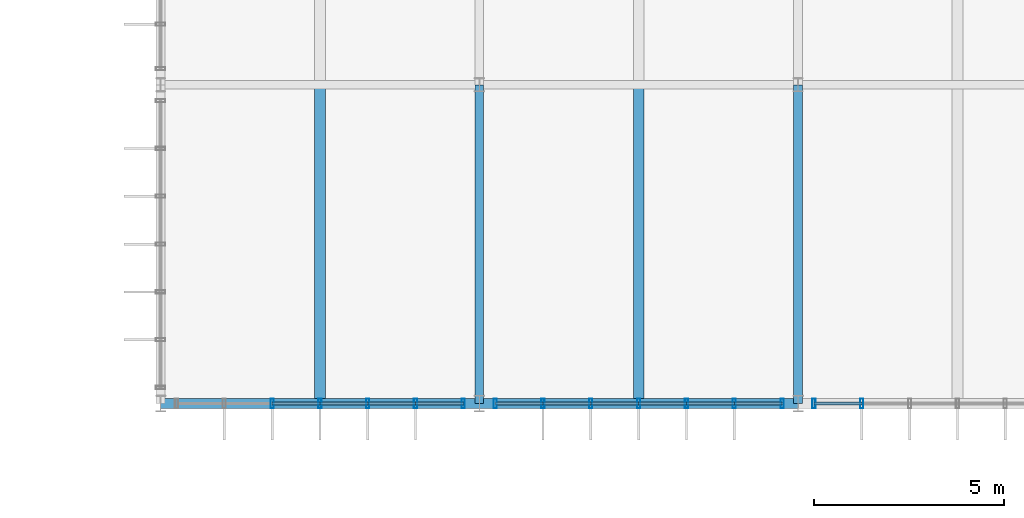
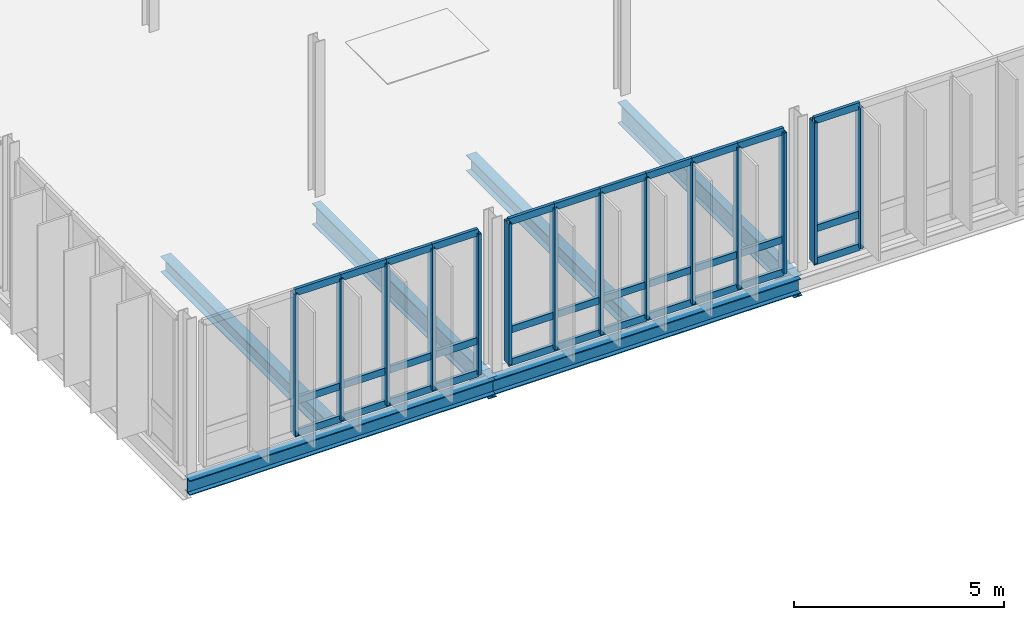
# One storey, part 21 of 139: 47 members, 6 beams, 3 elements without a shape of their own.
"""IFC4 building model written with IfcOpenShell, lengths in metres."""

from ifc_helpers import new_model, si_unit, derived_unit, direction, frame, origin, origin_2d, place, context, subcontext, project, spatial, hollow_rectangle, i_section, extrude, material, layer, layer_set, material_profile, profile_set, type_object, element, aggregate, save


model = new_model("IFC4")

# Units and contexts
model_context = context("Model", 3, precision=1e-05, world=origin(), true_north=direction((0.0, 1.0)))
body_context = subcontext(model_context, "Body", "Model", "MODEL_VIEW")
ifc_project = project(units=[si_unit("LENGTHUNIT", "METRE"), si_unit("AREAUNIT", "SQUARE_METRE"), si_unit("VOLUMEUNIT", "CUBIC_METRE"), si_unit("PLANEANGLEUNIT", "RADIAN"), si_unit("MASSUNIT", "GRAM", prefix="KILO"), derived_unit("THERMALTRANSMITTANCEUNIT", [(si_unit("MASSUNIT", "GRAM", prefix="KILO"), 1), (si_unit("TIMEUNIT", "SECOND"), -3), (si_unit("THERMODYNAMICTEMPERATUREUNIT", "KELVIN"), -1)])], contexts=[model_context])

# Site, building, storey
site_placement = place(None, origin())
site = spatial("IfcSite", under=ifc_project, at=site_placement, CompositionType="ELEMENT")
building_placement = place(site_placement, origin())
building = spatial("IfcBuilding", under=site, at=building_placement, Name="Makaiwela Harbour Ferry Terminal", CompositionType="ELEMENT")
storey_placement = place(building_placement, frame((0.0, 0.0, 5.10009765625)))
storey = spatial("IfcBuildingStorey", under=building, at=storey_placement, Name="L01", CompositionType="ELEMENT", Elevation=5.10009765625)

# Curtain wall, members
ifc_material_1 = material(Name="Marine anodised aluminium 6063-T6", Category="aluminium")
ifc_layer = layer(ifc_material_1, 0.199951171875)
ifc_layer_set = layer_set([ifc_layer], Name="Marine anodised aluminium 6063-T6")
curtain_wall_type = type_object("IfcCurtainWallType", Name="ENV-CW-08", PredefinedType="USERDEFINED", material=ifc_layer_set)
curtain_wall_1_placement = place(storey_placement, origin())
curtain_wall_1 = element("IfcCurtainWall", 1, at=curtain_wall_1_placement, inside=storey, type_object=curtain_wall_type, Name="Unitised Curtain Wall CWA-098", ObjectType="UNITIZED CURTAIN WALL", PredefinedType="USERDEFINED")
ifc_material_profile_1 = material_profile(ifc_material_1, hollow_rectangle(XDim=0.0849609375, YDim=0.25, WallThickness=0.0048828125, at=origin_2d()), Name="CWM-250X85")
ifc_profile_set_1 = profile_set([ifc_material_profile_1], Name="Marine anodised aluminium 6063-T6")
member_type_1 = type_object("IfcMemberType", Name="CW-MUL-250", PredefinedType="MULLION", material=ifc_profile_set_1)
member_1_placement = place(storey_placement, frame((37.3798828125, 25.199951171875, 0.0), z_axis=(0.0, 0.0, 1.0), x_axis=(1.0, 0.0, 0.0)))
member_1 = element("IfcMember", 2, at=member_1_placement, type_object=member_type_1, Name="Curtain Wall Mullion CWA-098-1", PredefinedType="MULLION", context=body_context, shape_type="SweptSolid", body=[
    extrude(hollow_rectangle(XDim=0.0849609375, YDim=0.25, WallThickness=0.0048828125, at=origin_2d()), origin(), (0.0, 0.0, 1.0), 4.099853515625),
])
member_2_placement = place(storey_placement, frame((36.1201171875, 25.199951171875, 0.0), z_axis=(0.0, 0.0, 1.0), x_axis=(1.0, 0.0, 0.0)))
member_2 = element("IfcMember", 3, at=member_2_placement, type_object=member_type_1, Name="Curtain Wall Mullion CWA-098-2", PredefinedType="MULLION", context=body_context, shape_type="SweptSolid", body=[
    extrude(hollow_rectangle(XDim=0.0849609375, YDim=0.25, WallThickness=0.0048828125, at=origin_2d()), origin(), (0.0, 0.0, 1.0), 4.099853515625),
])
member_3_placement = place(storey_placement, frame((34.860107421875, 25.199951171875, 0.0), z_axis=(0.0, 0.0, 1.0), x_axis=(1.0, 0.0, 0.0)))
member_3 = element("IfcMember", 4, at=member_3_placement, type_object=member_type_1, Name="Curtain Wall Mullion CWA-098-3", PredefinedType="MULLION", context=body_context, shape_type="SweptSolid", body=[
    extrude(hollow_rectangle(XDim=0.0849609375, YDim=0.25, WallThickness=0.0048828125, at=origin_2d()), origin(), (0.0, 0.0, 1.0), 4.099853515625),
])
member_4_placement = place(storey_placement, frame((33.60009765625, 25.199951171875, 0.0), z_axis=(0.0, 0.0, 1.0), x_axis=(1.0, 0.0, 0.0)))
member_4 = element("IfcMember", 5, at=member_4_placement, type_object=member_type_1, Name="Curtain Wall Mullion CWA-098-4", PredefinedType="MULLION", context=body_context, shape_type="SweptSolid", body=[
    extrude(hollow_rectangle(XDim=0.0849609375, YDim=0.25, WallThickness=0.0048828125, at=origin_2d()), origin(), (0.0, 0.0, 1.0), 4.099853515625),
])
member_5_placement = place(storey_placement, frame((32.340087890625, 25.199951171875, 0.0), z_axis=(0.0, 0.0, 1.0), x_axis=(1.0, 0.0, 0.0)))
member_5 = element("IfcMember", 6, at=member_5_placement, type_object=member_type_1, Name="Curtain Wall Mullion CWA-098-5", PredefinedType="MULLION", context=body_context, shape_type="SweptSolid", body=[
    extrude(hollow_rectangle(XDim=0.0849609375, YDim=0.25, WallThickness=0.0048828125, at=origin_2d()), origin(), (0.0, 0.0, 1.0), 4.099853515625),
])

curtain_wall_2_placement = place(storey_placement, origin())
curtain_wall_2 = element("IfcCurtainWall", 7, at=curtain_wall_2_placement, inside=storey, type_object=curtain_wall_type, Name="Unitised Curtain Wall CWA-101", ObjectType="UNITIZED CURTAIN WALL", PredefinedType="USERDEFINED")
member_6_placement = place(storey_placement, frame((45.780029296875, 25.199951171875, 0.0), z_axis=(0.0, 0.0, 1.0), x_axis=(1.0, 0.0, 0.0)))
member_6 = element("IfcMember", 8, at=member_6_placement, type_object=member_type_1, Name="Curtain Wall Mullion CWA-101-1", PredefinedType="MULLION", context=body_context, shape_type="SweptSolid", body=[
    extrude(hollow_rectangle(XDim=0.0849609375, YDim=0.25, WallThickness=0.0048828125, at=origin_2d()), origin(), (0.0, 0.0, 1.0), 4.099853515625),
])
member_7_placement = place(storey_placement, frame((44.52001953125, 25.199951171875, 0.0), z_axis=(0.0, 0.0, 1.0), x_axis=(1.0, 0.0, 0.0)))
member_7 = element("IfcMember", 9, at=member_7_placement, type_object=member_type_1, Name="Curtain Wall Mullion CWA-101-2", PredefinedType="MULLION", context=body_context, shape_type="SweptSolid", body=[
    extrude(hollow_rectangle(XDim=0.0849609375, YDim=0.25, WallThickness=0.0048828125, at=origin_2d()), origin(), (0.0, 0.0, 1.0), 4.099853515625),
])
member_8_placement = place(storey_placement, frame((43.260009765625, 25.199951171875, 0.0), z_axis=(0.0, 0.0, 1.0), x_axis=(1.0, 0.0, 0.0)))
member_8 = element("IfcMember", 10, at=member_8_placement, type_object=member_type_1, Name="Curtain Wall Mullion CWA-101-3", PredefinedType="MULLION", context=body_context, shape_type="SweptSolid", body=[
    extrude(hollow_rectangle(XDim=0.0849609375, YDim=0.25, WallThickness=0.0048828125, at=origin_2d()), origin(), (0.0, 0.0, 1.0), 4.099853515625),
])
member_9_placement = place(storey_placement, frame((42.0, 25.199951171875, 0.0), z_axis=(0.0, 0.0, 1.0), x_axis=(1.0, 0.0, 0.0)))
member_9 = element("IfcMember", 11, at=member_9_placement, type_object=member_type_1, Name="Curtain Wall Mullion CWA-101-4", PredefinedType="MULLION", context=body_context, shape_type="SweptSolid", body=[
    extrude(hollow_rectangle(XDim=0.0849609375, YDim=0.25, WallThickness=0.0048828125, at=origin_2d()), origin(), (0.0, 0.0, 1.0), 4.099853515625),
])
member_10_placement = place(storey_placement, frame((40.739990234375, 25.199951171875, 0.0), z_axis=(0.0, 0.0, 1.0), x_axis=(1.0, 0.0, 0.0)))
member_10 = element("IfcMember", 12, at=member_10_placement, type_object=member_type_1, Name="Curtain Wall Mullion CWA-101-5", PredefinedType="MULLION", context=body_context, shape_type="SweptSolid", body=[
    extrude(hollow_rectangle(XDim=0.0849609375, YDim=0.25, WallThickness=0.0048828125, at=origin_2d()), origin(), (0.0, 0.0, 1.0), 4.099853515625),
])
member_11_placement = place(storey_placement, frame((39.47998046875, 25.199951171875, 0.0), z_axis=(0.0, 0.0, 1.0), x_axis=(1.0, 0.0, 0.0)))
member_11 = element("IfcMember", 13, at=member_11_placement, type_object=member_type_1, Name="Curtain Wall Mullion CWA-101-6", PredefinedType="MULLION", context=body_context, shape_type="SweptSolid", body=[
    extrude(hollow_rectangle(XDim=0.0849609375, YDim=0.25, WallThickness=0.0048828125, at=origin_2d()), origin(), (0.0, 0.0, 1.0), 4.099853515625),
])
member_12_placement = place(storey_placement, frame((38.219970703125, 25.199951171875, 0.0), z_axis=(0.0, 0.0, 1.0), x_axis=(1.0, 0.0, 0.0)))
member_12 = element("IfcMember", 14, at=member_12_placement, type_object=member_type_1, Name="Curtain Wall Mullion CWA-101-7", PredefinedType="MULLION", context=body_context, shape_type="SweptSolid", body=[
    extrude(hollow_rectangle(XDim=0.0849609375, YDim=0.25, WallThickness=0.0048828125, at=origin_2d()), origin(), (0.0, 0.0, 1.0), 4.099853515625),
])

curtain_wall_3_placement = place(storey_placement, origin())
curtain_wall_3 = element("IfcCurtainWall", 15, at=curtain_wall_3_placement, inside=storey, type_object=curtain_wall_type, Name="Unitised Curtain Wall CWA-104", ObjectType="UNITIZED CURTAIN WALL", PredefinedType="USERDEFINED")
member_13_placement = place(storey_placement, frame((47.8798828125, 25.199951171875, 0.0), z_axis=(0.0, 0.0, 1.0), x_axis=(1.0, 0.0, 0.0)))
member_13 = element("IfcMember", 16, at=member_13_placement, type_object=member_type_1, Name="Curtain Wall Mullion CWA-104-6", PredefinedType="MULLION", context=body_context, shape_type="SweptSolid", body=[
    extrude(hollow_rectangle(XDim=0.0849609375, YDim=0.25, WallThickness=0.0048828125, at=origin_2d()), origin(), (0.0, 0.0, 1.0), 4.099853515625),
])
member_14_placement = place(storey_placement, frame((46.6201171875, 25.199951171875, 0.0), z_axis=(0.0, 0.0, 1.0), x_axis=(1.0, 0.0, 0.0)))
member_14 = element("IfcMember", 17, at=member_14_placement, type_object=member_type_1, Name="Curtain Wall Mullion CWA-104-7", PredefinedType="MULLION", context=body_context, shape_type="SweptSolid", body=[
    extrude(hollow_rectangle(XDim=0.0849609375, YDim=0.25, WallThickness=0.0048828125, at=origin_2d()), origin(), (0.0, 0.0, 1.0), 4.099853515625),
])

# Member
ifc_material_profile_2 = material_profile(ifc_material_1, hollow_rectangle(XDim=0.0849609375, YDim=0.199951171875, WallThickness=0.0048828125, at=origin_2d()), Name="CWT-200X85")
ifc_profile_set_2 = profile_set([ifc_material_profile_2], Name="Marine anodised aluminium 6063-T6")
member_type_2 = type_object("IfcMemberType", Name="CW-TRN-200", PredefinedType="USERDEFINED", material=ifc_profile_set_2)
member_15_placement = place(storey_placement, frame((37.3798828125, 25.199951171875, 0.0), z_axis=(-1.0, 0.0, 0.0), x_axis=(0.0, -1.0, 0.0)))
member_15 = element("IfcMember", 18, at=member_15_placement, type_object=member_type_2, Name="Curtain Wall Transom CWA-098-1-1", ObjectType="TRANSOM", PredefinedType="USERDEFINED", context=body_context, shape_type="SweptSolid", body=[
    extrude(hollow_rectangle(XDim=0.0849609375, YDim=0.199951171875, WallThickness=0.0048828125, at=origin_2d()), origin(), (0.0, 0.0, 1.0), 1.259765625),
])

member_16_placement = place(storey_placement, frame((37.3798828125, 25.199951171875, 0.949951171875), z_axis=(-1.0, 0.0, 0.0), x_axis=(0.0, -1.0, 0.0)))
member_16 = element("IfcMember", 19, at=member_16_placement, type_object=member_type_2, Name="Curtain Wall Transom CWA-098-1-2", ObjectType="TRANSOM", PredefinedType="USERDEFINED", context=body_context, shape_type="SweptSolid", body=[
    extrude(hollow_rectangle(XDim=0.0849609375, YDim=0.199951171875, WallThickness=0.0048828125, at=origin_2d()), origin(), (0.0, 0.0, 1.0), 1.259765625),
])

member_17_placement = place(storey_placement, frame((37.3798828125, 25.199951171875, 4.099853515625), z_axis=(-1.0, 0.0, 0.0), x_axis=(0.0, -1.0, 0.0)))
member_17 = element("IfcMember", 20, at=member_17_placement, type_object=member_type_2, Name="Curtain Wall Transom CWA-098-1-3", ObjectType="TRANSOM", PredefinedType="USERDEFINED", context=body_context, shape_type="SweptSolid", body=[
    extrude(hollow_rectangle(XDim=0.0849609375, YDim=0.199951171875, WallThickness=0.0048828125, at=origin_2d()), origin(), (0.0, 0.0, 1.0), 1.259765625),
])

member_18_placement = place(storey_placement, frame((36.1201171875, 25.199951171875, 0.0), z_axis=(-1.0, 0.0, 0.0), x_axis=(0.0, -1.0, 0.0)))
member_18 = element("IfcMember", 21, at=member_18_placement, type_object=member_type_2, Name="Curtain Wall Transom CWA-098-2-1", ObjectType="TRANSOM", PredefinedType="USERDEFINED", context=body_context, shape_type="SweptSolid", body=[
    extrude(hollow_rectangle(XDim=0.0849609375, YDim=0.199951171875, WallThickness=0.0048828125, at=origin_2d()), origin(), (0.0, 0.0, 1.0), 1.260009765625),
])

member_19_placement = place(storey_placement, frame((36.1201171875, 25.199951171875, 0.949951171875), z_axis=(-1.0, 0.0, 0.0), x_axis=(0.0, -1.0, 0.0)))
member_19 = element("IfcMember", 22, at=member_19_placement, type_object=member_type_2, Name="Curtain Wall Transom CWA-098-2-2", ObjectType="TRANSOM", PredefinedType="USERDEFINED", context=body_context, shape_type="SweptSolid", body=[
    extrude(hollow_rectangle(XDim=0.0849609375, YDim=0.199951171875, WallThickness=0.0048828125, at=origin_2d()), origin(), (0.0, 0.0, 1.0), 1.260009765625),
])

member_20_placement = place(storey_placement, frame((36.1201171875, 25.199951171875, 4.099853515625), z_axis=(-1.0, 0.0, 0.0), x_axis=(0.0, -1.0, 0.0)))
member_20 = element("IfcMember", 23, at=member_20_placement, type_object=member_type_2, Name="Curtain Wall Transom CWA-098-2-3", ObjectType="TRANSOM", PredefinedType="USERDEFINED", context=body_context, shape_type="SweptSolid", body=[
    extrude(hollow_rectangle(XDim=0.0849609375, YDim=0.199951171875, WallThickness=0.0048828125, at=origin_2d()), origin(), (0.0, 0.0, 1.0), 1.260009765625),
])

member_21_placement = place(storey_placement, frame((34.860107421875, 25.199951171875, 0.0), z_axis=(-1.0, 0.0, 0.0), x_axis=(0.0, -1.0, 0.0)))
member_21 = element("IfcMember", 24, at=member_21_placement, type_object=member_type_2, Name="Curtain Wall Transom CWA-098-3-1", ObjectType="TRANSOM", PredefinedType="USERDEFINED", context=body_context, shape_type="SweptSolid", body=[
    extrude(hollow_rectangle(XDim=0.0849609375, YDim=0.199951171875, WallThickness=0.0048828125, at=origin_2d()), origin(), (0.0, 0.0, 1.0), 1.260009765625),
])

member_22_placement = place(storey_placement, frame((34.860107421875, 25.199951171875, 0.949951171875), z_axis=(-1.0, 0.0, 0.0), x_axis=(0.0, -1.0, 0.0)))
member_22 = element("IfcMember", 25, at=member_22_placement, type_object=member_type_2, Name="Curtain Wall Transom CWA-098-3-2", ObjectType="TRANSOM", PredefinedType="USERDEFINED", context=body_context, shape_type="SweptSolid", body=[
    extrude(hollow_rectangle(XDim=0.0849609375, YDim=0.199951171875, WallThickness=0.0048828125, at=origin_2d()), origin(), (0.0, 0.0, 1.0), 1.260009765625),
])

member_23_placement = place(storey_placement, frame((34.860107421875, 25.199951171875, 4.099853515625), z_axis=(-1.0, 0.0, 0.0), x_axis=(0.0, -1.0, 0.0)))
member_23 = element("IfcMember", 26, at=member_23_placement, type_object=member_type_2, Name="Curtain Wall Transom CWA-098-3-3", ObjectType="TRANSOM", PredefinedType="USERDEFINED", context=body_context, shape_type="SweptSolid", body=[
    extrude(hollow_rectangle(XDim=0.0849609375, YDim=0.199951171875, WallThickness=0.0048828125, at=origin_2d()), origin(), (0.0, 0.0, 1.0), 1.260009765625),
])

member_24_placement = place(storey_placement, frame((33.60009765625, 25.199951171875, 0.0), z_axis=(-1.0, 0.0, 0.0), x_axis=(0.0, -1.0, 0.0)))
member_24 = element("IfcMember", 27, at=member_24_placement, type_object=member_type_2, Name="Curtain Wall Transom CWA-098-4-1", ObjectType="TRANSOM", PredefinedType="USERDEFINED", context=body_context, shape_type="SweptSolid", body=[
    extrude(hollow_rectangle(XDim=0.0849609375, YDim=0.199951171875, WallThickness=0.0048828125, at=origin_2d()), origin(), (0.0, 0.0, 1.0), 1.260009765625),
])

member_25_placement = place(storey_placement, frame((33.60009765625, 25.199951171875, 0.949951171875), z_axis=(-1.0, 0.0, 0.0), x_axis=(0.0, -1.0, 0.0)))
member_25 = element("IfcMember", 28, at=member_25_placement, type_object=member_type_2, Name="Curtain Wall Transom CWA-098-4-2", ObjectType="TRANSOM", PredefinedType="USERDEFINED", context=body_context, shape_type="SweptSolid", body=[
    extrude(hollow_rectangle(XDim=0.0849609375, YDim=0.199951171875, WallThickness=0.0048828125, at=origin_2d()), origin(), (0.0, 0.0, 1.0), 1.260009765625),
])

member_26_placement = place(storey_placement, frame((33.60009765625, 25.199951171875, 4.099853515625), z_axis=(-1.0, 0.0, 0.0), x_axis=(0.0, -1.0, 0.0)))
member_26 = element("IfcMember", 29, at=member_26_placement, type_object=member_type_2, Name="Curtain Wall Transom CWA-098-4-3", ObjectType="TRANSOM", PredefinedType="USERDEFINED", context=body_context, shape_type="SweptSolid", body=[
    extrude(hollow_rectangle(XDim=0.0849609375, YDim=0.199951171875, WallThickness=0.0048828125, at=origin_2d()), origin(), (0.0, 0.0, 1.0), 1.260009765625),
])

aggregate(curtain_wall_1, [member_1, member_2, member_3, member_4, member_5, member_15, member_16, member_17, member_18, member_19, member_20, member_21, member_22, member_23, member_24, member_25, member_26])

member_27_placement = place(storey_placement, frame((45.780029296875, 25.199951171875, 0.0), z_axis=(-1.0, 0.0, 0.0), x_axis=(0.0, -1.0, 0.0)))
member_27 = element("IfcMember", 30, at=member_27_placement, type_object=member_type_2, Name="Curtain Wall Transom CWA-101-1-1", ObjectType="TRANSOM", PredefinedType="USERDEFINED", context=body_context, shape_type="SweptSolid", body=[
    extrude(hollow_rectangle(XDim=0.0849609375, YDim=0.199951171875, WallThickness=0.0048828125, at=origin_2d()), origin(), (0.0, 0.0, 1.0), 1.260009765625),
])

member_28_placement = place(storey_placement, frame((45.780029296875, 25.199951171875, 0.949951171875), z_axis=(-1.0, 0.0, 0.0), x_axis=(0.0, -1.0, 0.0)))
member_28 = element("IfcMember", 31, at=member_28_placement, type_object=member_type_2, Name="Curtain Wall Transom CWA-101-1-2", ObjectType="TRANSOM", PredefinedType="USERDEFINED", context=body_context, shape_type="SweptSolid", body=[
    extrude(hollow_rectangle(XDim=0.0849609375, YDim=0.199951171875, WallThickness=0.0048828125, at=origin_2d()), origin(), (0.0, 0.0, 1.0), 1.260009765625),
])

member_29_placement = place(storey_placement, frame((45.780029296875, 25.199951171875, 4.099853515625), z_axis=(-1.0, 0.0, 0.0), x_axis=(0.0, -1.0, 0.0)))
member_29 = element("IfcMember", 32, at=member_29_placement, type_object=member_type_2, Name="Curtain Wall Transom CWA-101-1-3", ObjectType="TRANSOM", PredefinedType="USERDEFINED", context=body_context, shape_type="SweptSolid", body=[
    extrude(hollow_rectangle(XDim=0.0849609375, YDim=0.199951171875, WallThickness=0.0048828125, at=origin_2d()), origin(), (0.0, 0.0, 1.0), 1.260009765625),
])

member_30_placement = place(storey_placement, frame((44.52001953125, 25.199951171875, 0.0), z_axis=(-1.0, 0.0, 0.0), x_axis=(0.0, -1.0, 0.0)))
member_30 = element("IfcMember", 33, at=member_30_placement, type_object=member_type_2, Name="Curtain Wall Transom CWA-101-2-1", ObjectType="TRANSOM", PredefinedType="USERDEFINED", context=body_context, shape_type="SweptSolid", body=[
    extrude(hollow_rectangle(XDim=0.0849609375, YDim=0.199951171875, WallThickness=0.0048828125, at=origin_2d()), origin(), (0.0, 0.0, 1.0), 1.260009765625),
])

member_31_placement = place(storey_placement, frame((44.52001953125, 25.199951171875, 0.949951171875), z_axis=(-1.0, 0.0, 0.0), x_axis=(0.0, -1.0, 0.0)))
member_31 = element("IfcMember", 34, at=member_31_placement, type_object=member_type_2, Name="Curtain Wall Transom CWA-101-2-2", ObjectType="TRANSOM", PredefinedType="USERDEFINED", context=body_context, shape_type="SweptSolid", body=[
    extrude(hollow_rectangle(XDim=0.0849609375, YDim=0.199951171875, WallThickness=0.0048828125, at=origin_2d()), origin(), (0.0, 0.0, 1.0), 1.260009765625),
])

member_32_placement = place(storey_placement, frame((44.52001953125, 25.199951171875, 4.099853515625), z_axis=(-1.0, 0.0, 0.0), x_axis=(0.0, -1.0, 0.0)))
member_32 = element("IfcMember", 35, at=member_32_placement, type_object=member_type_2, Name="Curtain Wall Transom CWA-101-2-3", ObjectType="TRANSOM", PredefinedType="USERDEFINED", context=body_context, shape_type="SweptSolid", body=[
    extrude(hollow_rectangle(XDim=0.0849609375, YDim=0.199951171875, WallThickness=0.0048828125, at=origin_2d()), origin(), (0.0, 0.0, 1.0), 1.260009765625),
])

member_33_placement = place(storey_placement, frame((43.260009765625, 25.199951171875, 0.0), z_axis=(-1.0, 0.0, 0.0), x_axis=(0.0, -1.0, 0.0)))
member_33 = element("IfcMember", 36, at=member_33_placement, type_object=member_type_2, Name="Curtain Wall Transom CWA-101-3-1", ObjectType="TRANSOM", PredefinedType="USERDEFINED", context=body_context, shape_type="SweptSolid", body=[
    extrude(hollow_rectangle(XDim=0.0849609375, YDim=0.199951171875, WallThickness=0.0048828125, at=origin_2d()), origin(), (0.0, 0.0, 1.0), 1.260009765625),
])

member_34_placement = place(storey_placement, frame((43.260009765625, 25.199951171875, 0.949951171875), z_axis=(-1.0, 0.0, 0.0), x_axis=(0.0, -1.0, 0.0)))
member_34 = element("IfcMember", 37, at=member_34_placement, type_object=member_type_2, Name="Curtain Wall Transom CWA-101-3-2", ObjectType="TRANSOM", PredefinedType="USERDEFINED", context=body_context, shape_type="SweptSolid", body=[
    extrude(hollow_rectangle(XDim=0.0849609375, YDim=0.199951171875, WallThickness=0.0048828125, at=origin_2d()), origin(), (0.0, 0.0, 1.0), 1.260009765625),
])

member_35_placement = place(storey_placement, frame((43.260009765625, 25.199951171875, 4.099853515625), z_axis=(-1.0, 0.0, 0.0), x_axis=(0.0, -1.0, 0.0)))
member_35 = element("IfcMember", 38, at=member_35_placement, type_object=member_type_2, Name="Curtain Wall Transom CWA-101-3-3", ObjectType="TRANSOM", PredefinedType="USERDEFINED", context=body_context, shape_type="SweptSolid", body=[
    extrude(hollow_rectangle(XDim=0.0849609375, YDim=0.199951171875, WallThickness=0.0048828125, at=origin_2d()), origin(), (0.0, 0.0, 1.0), 1.260009765625),
])

member_36_placement = place(storey_placement, frame((42.0, 25.199951171875, 0.0), z_axis=(-1.0, 0.0, 0.0), x_axis=(0.0, -1.0, 0.0)))
member_36 = element("IfcMember", 39, at=member_36_placement, type_object=member_type_2, Name="Curtain Wall Transom CWA-101-4-1", ObjectType="TRANSOM", PredefinedType="USERDEFINED", context=body_context, shape_type="SweptSolid", body=[
    extrude(hollow_rectangle(XDim=0.0849609375, YDim=0.199951171875, WallThickness=0.0048828125, at=origin_2d()), origin(), (0.0, 0.0, 1.0), 1.260009765625),
])

member_37_placement = place(storey_placement, frame((42.0, 25.199951171875, 0.949951171875), z_axis=(-1.0, 0.0, 0.0), x_axis=(0.0, -1.0, 0.0)))
member_37 = element("IfcMember", 40, at=member_37_placement, type_object=member_type_2, Name="Curtain Wall Transom CWA-101-4-2", ObjectType="TRANSOM", PredefinedType="USERDEFINED", context=body_context, shape_type="SweptSolid", body=[
    extrude(hollow_rectangle(XDim=0.0849609375, YDim=0.199951171875, WallThickness=0.0048828125, at=origin_2d()), origin(), (0.0, 0.0, 1.0), 1.260009765625),
])

member_38_placement = place(storey_placement, frame((42.0, 25.199951171875, 4.099853515625), z_axis=(-1.0, 0.0, 0.0), x_axis=(0.0, -1.0, 0.0)))
member_38 = element("IfcMember", 41, at=member_38_placement, type_object=member_type_2, Name="Curtain Wall Transom CWA-101-4-3", ObjectType="TRANSOM", PredefinedType="USERDEFINED", context=body_context, shape_type="SweptSolid", body=[
    extrude(hollow_rectangle(XDim=0.0849609375, YDim=0.199951171875, WallThickness=0.0048828125, at=origin_2d()), origin(), (0.0, 0.0, 1.0), 1.260009765625),
])

member_39_placement = place(storey_placement, frame((40.739990234375, 25.199951171875, 0.0), z_axis=(-1.0, 0.0, 0.0), x_axis=(0.0, -1.0, 0.0)))
member_39 = element("IfcMember", 42, at=member_39_placement, type_object=member_type_2, Name="Curtain Wall Transom CWA-101-5-1", ObjectType="TRANSOM", PredefinedType="USERDEFINED", context=body_context, shape_type="SweptSolid", body=[
    extrude(hollow_rectangle(XDim=0.0849609375, YDim=0.199951171875, WallThickness=0.0048828125, at=origin_2d()), origin(), (0.0, 0.0, 1.0), 1.260009765625),
])

member_40_placement = place(storey_placement, frame((40.739990234375, 25.199951171875, 0.949951171875), z_axis=(-1.0, 0.0, 0.0), x_axis=(0.0, -1.0, 0.0)))
member_40 = element("IfcMember", 43, at=member_40_placement, type_object=member_type_2, Name="Curtain Wall Transom CWA-101-5-2", ObjectType="TRANSOM", PredefinedType="USERDEFINED", context=body_context, shape_type="SweptSolid", body=[
    extrude(hollow_rectangle(XDim=0.0849609375, YDim=0.199951171875, WallThickness=0.0048828125, at=origin_2d()), origin(), (0.0, 0.0, 1.0), 1.260009765625),
])

member_41_placement = place(storey_placement, frame((40.739990234375, 25.199951171875, 4.099853515625), z_axis=(-1.0, 0.0, 0.0), x_axis=(0.0, -1.0, 0.0)))
member_41 = element("IfcMember", 44, at=member_41_placement, type_object=member_type_2, Name="Curtain Wall Transom CWA-101-5-3", ObjectType="TRANSOM", PredefinedType="USERDEFINED", context=body_context, shape_type="SweptSolid", body=[
    extrude(hollow_rectangle(XDim=0.0849609375, YDim=0.199951171875, WallThickness=0.0048828125, at=origin_2d()), origin(), (0.0, 0.0, 1.0), 1.260009765625),
])

member_42_placement = place(storey_placement, frame((39.47998046875, 25.199951171875, 0.0), z_axis=(-1.0, 0.0, 0.0), x_axis=(0.0, -1.0, 0.0)))
member_42 = element("IfcMember", 45, at=member_42_placement, type_object=member_type_2, Name="Curtain Wall Transom CWA-101-6-1", ObjectType="TRANSOM", PredefinedType="USERDEFINED", context=body_context, shape_type="SweptSolid", body=[
    extrude(hollow_rectangle(XDim=0.0849609375, YDim=0.199951171875, WallThickness=0.0048828125, at=origin_2d()), origin(), (0.0, 0.0, 1.0), 1.260009765625),
])

member_43_placement = place(storey_placement, frame((39.47998046875, 25.199951171875, 0.949951171875), z_axis=(-1.0, 0.0, 0.0), x_axis=(0.0, -1.0, 0.0)))
member_43 = element("IfcMember", 46, at=member_43_placement, type_object=member_type_2, Name="Curtain Wall Transom CWA-101-6-2", ObjectType="TRANSOM", PredefinedType="USERDEFINED", context=body_context, shape_type="SweptSolid", body=[
    extrude(hollow_rectangle(XDim=0.0849609375, YDim=0.199951171875, WallThickness=0.0048828125, at=origin_2d()), origin(), (0.0, 0.0, 1.0), 1.260009765625),
])

member_44_placement = place(storey_placement, frame((39.47998046875, 25.199951171875, 4.099853515625), z_axis=(-1.0, 0.0, 0.0), x_axis=(0.0, -1.0, 0.0)))
member_44 = element("IfcMember", 47, at=member_44_placement, type_object=member_type_2, Name="Curtain Wall Transom CWA-101-6-3", ObjectType="TRANSOM", PredefinedType="USERDEFINED", context=body_context, shape_type="SweptSolid", body=[
    extrude(hollow_rectangle(XDim=0.0849609375, YDim=0.199951171875, WallThickness=0.0048828125, at=origin_2d()), origin(), (0.0, 0.0, 1.0), 1.260009765625),
])

aggregate(curtain_wall_2, [member_6, member_7, member_8, member_9, member_10, member_11, member_12, member_27, member_28, member_29, member_30, member_31, member_32, member_33, member_34, member_35, member_36, member_37, member_38, member_39, member_40, member_41, member_42, member_43, member_44])

member_45_placement = place(storey_placement, frame((47.8798828125, 25.199951171875, 0.0), z_axis=(-1.0, 0.0, 0.0), x_axis=(0.0, -1.0, 0.0)))
member_45 = element("IfcMember", 48, at=member_45_placement, type_object=member_type_2, Name="Curtain Wall Transom CWA-104-6-1", ObjectType="TRANSOM", PredefinedType="USERDEFINED", context=body_context, shape_type="SweptSolid", body=[
    extrude(hollow_rectangle(XDim=0.0849609375, YDim=0.199951171875, WallThickness=0.0048828125, at=origin_2d()), origin(), (0.0, 0.0, 1.0), 1.259765625),
])

member_46_placement = place(storey_placement, frame((47.8798828125, 25.199951171875, 0.949951171875), z_axis=(-1.0, 0.0, 0.0), x_axis=(0.0, -1.0, 0.0)))
member_46 = element("IfcMember", 49, at=member_46_placement, type_object=member_type_2, Name="Curtain Wall Transom CWA-104-6-2", ObjectType="TRANSOM", PredefinedType="USERDEFINED", context=body_context, shape_type="SweptSolid", body=[
    extrude(hollow_rectangle(XDim=0.0849609375, YDim=0.199951171875, WallThickness=0.0048828125, at=origin_2d()), origin(), (0.0, 0.0, 1.0), 1.259765625),
])

member_47_placement = place(storey_placement, frame((47.8798828125, 25.199951171875, 4.099853515625), z_axis=(-1.0, 0.0, 0.0), x_axis=(0.0, -1.0, 0.0)))
member_47 = element("IfcMember", 50, at=member_47_placement, type_object=member_type_2, Name="Curtain Wall Transom CWA-104-6-3", ObjectType="TRANSOM", PredefinedType="USERDEFINED", context=body_context, shape_type="SweptSolid", body=[
    extrude(hollow_rectangle(XDim=0.0849609375, YDim=0.199951171875, WallThickness=0.0048828125, at=origin_2d()), origin(), (0.0, 0.0, 1.0), 1.259765625),
])

aggregate(curtain_wall_3, [member_13, member_14, member_45, member_46, member_47])

# Beams
ifc_material_2 = material(Name="Steel ASTM A992 Grade 50", Category="steel")
ifc_material_profile_3 = material_profile(ifc_material_2, i_section(OverallWidth=0.280029296875, OverallDepth=0.462890625, WebThickness=0.0107421875, FlangeThickness=0.017333984375, at=origin_2d()), Name="W18X76")
ifc_profile_set_3 = profile_set([ifc_material_profile_3], Name="Steel ASTM A992 Grade 50")
beam_type_1 = type_object("IfcBeamType", Name="STR-BM-W18X76", PredefinedType="BEAM", material=ifc_profile_set_3)
for number, where, z_axis, x_axis, name in (
    (51, (33.60009765625, 25.314453125, -0.51171875), (0.0, 1.0, 0.0), (-1.0, 0.0, 0.0), "Secondary floor beam 1063"),
    (52, (42.0, 25.314453125, -0.51171875), (0.0, 1.0, 0.0), (-1.0, 0.0, 0.0), "Secondary floor beam 1065"),
):
    element("IfcBeam", number, at=place(storey_placement, frame(where, z_axis=z_axis, x_axis=x_axis)), inside=storey, type_object=beam_type_1, Name=name, PredefinedType="BEAM", context=body_context, shape_type="SweptSolid", body=[
        extrude(i_section(OverallWidth=0.280029296875, OverallDepth=0.462890625, WebThickness=0.0107421875, FlangeThickness=0.017333984375, at=origin_2d()), origin(), (0.0, 0.0, 1.0), 8.18896484375),
    ])
ifc_material_profile_4 = material_profile(ifc_material_2, i_section(OverallWidth=0.22900390625, OverallDepth=0.612060546875, WebThickness=0.011962890625, FlangeThickness=0.01953125, at=origin_2d()), Name="W24X84")
ifc_profile_set_4 = profile_set([ifc_material_profile_4], Name="Steel ASTM A992 Grade 50")
beam_type_2 = type_object("IfcBeamType", Name="STR-GRD-W24X84", PredefinedType="USERDEFINED", material=ifc_profile_set_4)
for number, where, z_axis, x_axis, name in (
    (53, (37.800048828125, 25.199951171875, -0.586181640625), (0.0, 1.0, 0.0), (-1.0, 0.0, 0.0), "Primary Y girder 910"),
    (54, (46.199951171875, 25.199951171875, -0.586181640625), (0.0, 1.0, 0.0), (-1.0, 0.0, 0.0), "Primary Y girder 913"),
):
    element("IfcBeam", number, at=place(storey_placement, frame(where, z_axis=z_axis, x_axis=x_axis)), inside=storey, type_object=beam_type_2, Name=name, ObjectType="GIRDER", PredefinedType="USERDEFINED", context=body_context, shape_type="SweptSolid", body=[
        extrude(i_section(OverallWidth=0.22900390625, OverallDepth=0.612060546875, WebThickness=0.011962890625, FlangeThickness=0.01953125, at=origin_2d()), origin(), (0.0, 0.0, 1.0), 8.400146484375),
    ])
ifc_material_profile_5 = material_profile(ifc_material_2, i_section(OverallWidth=0.264892578125, OverallDepth=0.430908203125, WebThickness=0.014892578125, FlangeThickness=0.02490234375, at=origin_2d()), Name="W16X100")
ifc_profile_set_5 = profile_set([ifc_material_profile_5], Name="Steel ASTM A992 Grade 50")
beam_type_3 = type_object("IfcBeamType", Name="STR-SPN-W16X100", PredefinedType="SPANDREL", material=ifc_profile_set_5)
beam_1_placement = place(storey_placement, frame((29.39990234375, 25.199951171875, -0.49560546875), z_axis=(1.0, 0.0, 0.0), x_axis=(0.0, 1.0, 0.0)))
element("IfcBeam", 55, at=beam_1_placement, inside=storey, type_object=beam_type_3, Name="Primary X girder 754", PredefinedType="SPANDREL", context=body_context, shape_type="SweptSolid", body=[
    extrude(i_section(OverallWidth=0.264892578125, OverallDepth=0.430908203125, WebThickness=0.014892578125, FlangeThickness=0.02490234375, at=origin_2d()), origin(), (0.0, 0.0, 1.0), 8.400146484375),
])
beam_2_placement = place(storey_placement, frame((37.800048828125, 25.199951171875, -0.49560546875), z_axis=(1.0, 0.0, 0.0), x_axis=(0.0, 1.0, 0.0)))
element("IfcBeam", 56, at=beam_2_placement, inside=storey, type_object=beam_type_3, Name="Primary X girder 755", PredefinedType="SPANDREL", context=body_context, shape_type="SweptSolid", body=[
    extrude(i_section(OverallWidth=0.264892578125, OverallDepth=0.430908203125, WebThickness=0.014892578125, FlangeThickness=0.02490234375, at=origin_2d()), origin(), (0.0, 0.0, 1.0), 8.39990234375),
])

save(model, "model.ifc")
